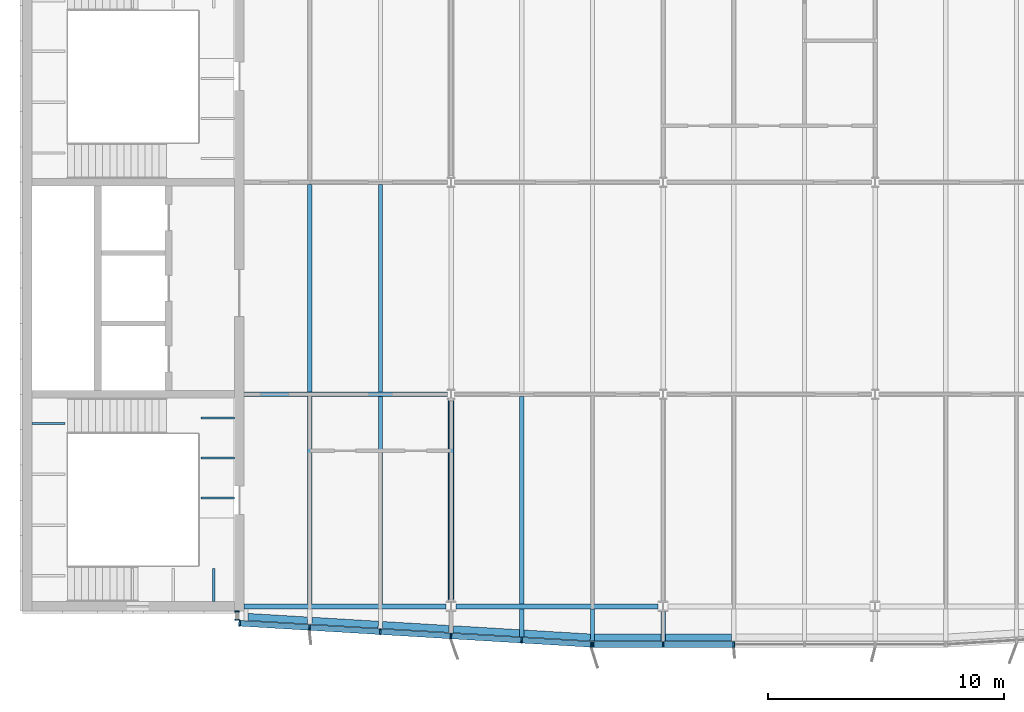
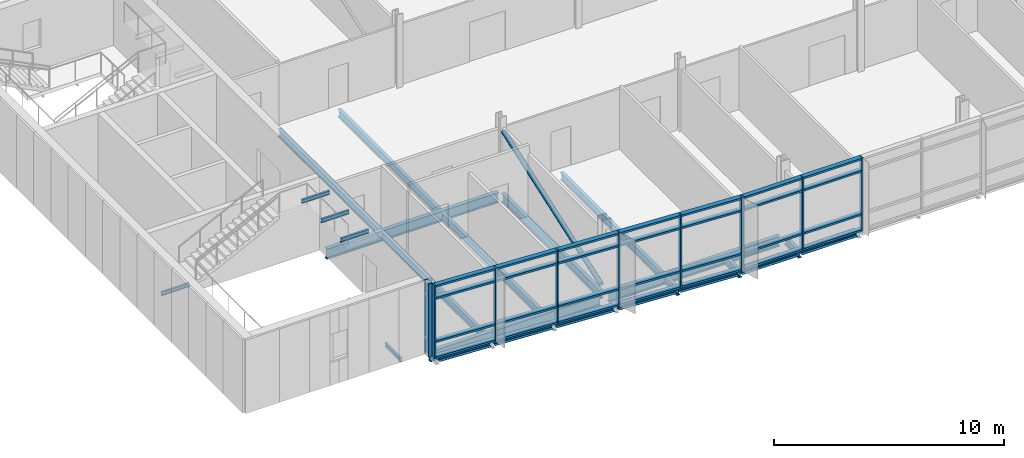
# One storey, part 2 of 21: 40 members, 24 beams, 3 elements without a shape of their own.
"""IFC4 building model written with IfcOpenShell, lengths in metres."""

from ifc_helpers import new_model, si_unit, direction, frame, origin, origin_2d, place, context, subcontext, project, spatial, rectangle, hollow_circle, i_section, extrude, material, material_profile, profile_set, type_object, element, aggregate, save


model = new_model("IFC4")

# Units and contexts
model_context = context("Model", 3, precision=1e-05, world=origin(), true_north=direction((0.0, 1.0)))
body_context = subcontext(model_context, "Body", "Model", "MODEL_VIEW")
ifc_project = project(units=[si_unit("LENGTHUNIT", "METRE"), si_unit("AREAUNIT", "SQUARE_METRE"), si_unit("VOLUMEUNIT", "CUBIC_METRE"), si_unit("PLANEANGLEUNIT", "RADIAN"), si_unit("MASSUNIT", "GRAM", prefix="KILO")], contexts=[model_context])

# Site, building, storey
site_placement = place(None, origin())
site = spatial("IfcSite", under=ifc_project, at=site_placement, CompositionType="ELEMENT")
building_placement = place(site_placement, origin())
building = spatial("IfcBuilding", under=site, at=building_placement, Name="Azimuth Sports and Learning Centre", CompositionType="ELEMENT")
storey_placement = place(building_placement, frame((0.0, 0.0, 48.0)))
storey = spatial("IfcBuildingStorey", under=building, at=storey_placement, Name="L10", CompositionType="ELEMENT", Elevation=48.0)

# Beams
ifc_material_1 = material(Name="Steel S355", Category="steel")
ifc_material_profile_1 = material_profile(ifc_material_1, i_section(OverallWidth=0.10009765625, OverallDepth=0.199951171875, WebThickness=0.005615234375, FlangeThickness=0.008544921875, FilletRadius=0.011962890625, at=origin_2d()), Name="IPE 200")
ifc_profile_set_1 = profile_set([ifc_material_profile_1], Name="Steel S355")
beam_type_1 = type_object("IfcBeamType", Name="Beam IPE 200", PredefinedType="BEAM", material=ifc_profile_set_1)
for number, where, z_axis, x_axis, name in (
    (1, (61.9267578125, 90.199951171875, -0.300048828125), (0.0, 1.0, 0.0), (-1.0, 0.0, 0.0), "Landing bracket W1 L10 101"),
    (2, (54.199951171875, 97.76123046875, 1.35009765625), (1.0, 0.0, 0.0), (0.0, 1.0, 0.0), "Landing bracket W1 L10 105"),
    (3, (62.800048828125, 94.598388671875, 3.60009765625), (-1.0, 0.0, 0.0), (0.0, -1.0, 0.0), "Landing bracket W1 L10 106"),
    (4, (62.800048828125, 96.294921875, 3.60009765625), (-1.0, 0.0, 0.0), (0.0, -1.0, 0.0), "Landing bracket W1 L10 107"),
    (5, (62.800048828125, 97.99169921875, 3.60009765625), (-1.0, 0.0, 0.0), (0.0, -1.0, 0.0), "Landing bracket W1 L10 108"),
):
    element("IfcBeam", number, at=place(storey_placement, frame(where, z_axis=z_axis, x_axis=x_axis)), inside=storey, type_object=beam_type_1, Name=name, PredefinedType="BEAM", context=body_context, shape_type="SweptSolid", body=[
        extrude(i_section(OverallWidth=0.10009765625, OverallDepth=0.199951171875, WebThickness=0.005615234375, FlangeThickness=0.008544921875, FilletRadius=0.011962890625, at=origin_2d()), origin(), (0.0, 0.0, 1.0), 1.41015625),
    ])
ifc_material_2 = material(Name="Steel S355", Category="steel")
ifc_material_profile_2 = material_profile(ifc_material_2, i_section(OverallWidth=0.18994140625, OverallDepth=0.449951171875, WebThickness=0.009521484375, FlangeThickness=0.0146484375, FilletRadius=0.02099609375, at=origin_2d()), Name="IPE 450")
ifc_profile_set_2 = profile_set([ifc_material_profile_2], Name="Steel S355")
beam_type_2 = type_object("IfcBeamType", Name="Beam IPE 450", PredefinedType="BEAM", material=ifc_profile_set_2)
beam_1_placement = place(storey_placement, frame((72.0, 90.2275390625, -0.35498046875), z_axis=(0.0, 1.0, 0.0), x_axis=(-1.0, 0.0, 0.0)))
element("IfcBeam", 6, at=beam_1_placement, inside=storey, type_object=beam_type_2, Name="Tower tie", PredefinedType="BEAM", context=body_context, shape_type="SweptSolid", body=[
    extrude(i_section(OverallWidth=0.18994140625, OverallDepth=0.449951171875, WebThickness=0.009521484375, FlangeThickness=0.0146484375, FilletRadius=0.02099609375, at=origin_2d()), origin(), (0.0, 0.0, 1.0), 8.556396484375),
])
ifc_material_3 = material(Name="Steel S355", Category="steel")
ifc_material_profile_3 = material_profile(ifc_material_3, i_section(OverallWidth=0.2099609375, OverallDepth=0.550048828125, WebThickness=0.010986328125, FlangeThickness=0.01708984375, FilletRadius=0.02392578125, at=origin_2d()), Name="IPE 550")
ifc_profile_set_3 = profile_set([ifc_material_profile_3], Name="Steel S355")
beam_type_3 = type_object("IfcBeamType", Name="Beam IPE 550", PredefinedType="BEAM", material=ifc_profile_set_3)
beam_2_placement = place(storey_placement, frame((63.199951171875, 90.0, -0.405029296875), z_axis=(1.0, 0.0, 0.0), x_axis=(0.0, 1.0, 0.0)))
element("IfcBeam", 7, at=beam_2_placement, inside=storey, type_object=beam_type_3, Name="Tower girder L10", PredefinedType="BEAM", context=body_context, shape_type="SweptSolid", body=[
    extrude(i_section(OverallWidth=0.2099609375, OverallDepth=0.550048828125, WebThickness=0.010986328125, FlangeThickness=0.01708984375, FilletRadius=0.02392578125, at=origin_2d()), origin(), (0.0, 0.0, 1.0), 8.591064453125),
])
beam_3_placement = place(storey_placement, frame((72.208984375, 90.0, -0.405029296875), z_axis=(1.0, 0.0, 0.0), x_axis=(0.0, 1.0, 0.0)))
element("IfcBeam", 8, at=beam_3_placement, inside=storey, type_object=beam_type_3, Name="Tower girder L10", PredefinedType="BEAM", context=body_context, shape_type="SweptSolid", body=[
    extrude(i_section(OverallWidth=0.2099609375, OverallDepth=0.550048828125, WebThickness=0.010986328125, FlangeThickness=0.01708984375, FilletRadius=0.02392578125, at=origin_2d()), origin(), (0.0, 0.0, 1.0), 8.58203125),
])
beam_4_placement = place(storey_placement, frame((63.199951171875, 99.0, -0.405029296875), z_axis=(1.0, 0.0, 0.0), x_axis=(0.0, 1.0, 0.0)))
element("IfcBeam", 9, at=beam_4_placement, inside=storey, type_object=beam_type_3, Name="Tower girder L10", PredefinedType="BEAM", context=body_context, shape_type="SweptSolid", body=[
    extrude(i_section(OverallWidth=0.2099609375, OverallDepth=0.550048828125, WebThickness=0.010986328125, FlangeThickness=0.01708984375, FilletRadius=0.02392578125, at=origin_2d()), origin(), (0.0, 0.0, 1.0), 8.646484375),
])

# Member
ifc_material_4 = material(Name="Steel S355", Category="steel")
ifc_material_profile_4 = material_profile(ifc_material_4, hollow_circle(Radius=0.122314453125, WallThickness=0.012451171875, at=origin_2d()), Name="CHS 244.5x12.5")
ifc_profile_set_4 = profile_set([ifc_material_profile_4], Name="Steel S355")
member_type_1 = type_object("IfcMemberType", Name="Brace CHS 244.5x12.5", PredefinedType="BRACE", material=ifc_profile_set_4)
member_1_placement = place(storey_placement, frame((72.0, 90.247802734375, 0.16943359375), z_axis=(0.0, 0.94383599609, 0.330414304299), x_axis=(-1.0, 0.0, 0.0)))
element("IfcMember", 10, at=member_1_placement, inside=storey, type_object=member_type_1, Name="Tower brace 9 L10", PredefinedType="BRACE", context=body_context, shape_type="SweptSolid", body=[
    extrude(hollow_circle(Radius=0.122314453125, WallThickness=0.012451171875, at=origin_2d()), origin(), (0.0, 0.0, 1.0), 9.022705078125),
])

# Beams
ifc_material_5 = material(Name="Steel S355", Category="steel")
ifc_material_profile_5 = material_profile(ifc_material_5, i_section(OverallWidth=0.179931640625, OverallDepth=0.39990234375, WebThickness=0.008544921875, FlangeThickness=0.013427734375, FilletRadius=0.02099609375, at=origin_2d()), Name="IPE 400")
ifc_profile_set_5 = profile_set([ifc_material_profile_5], Name="Steel S355")
beam_type_4 = type_object("IfcBeamType", Name="Cantilever stub IPE 400", PredefinedType="JOIST", material=ifc_profile_set_5)
beam_5_placement = place(storey_placement, frame((75.0, 89.89501953125, -0.330078125), z_axis=(0.0, -1.0, 0.0), x_axis=(1.0, 0.0, 0.0)))
element("IfcBeam", 11, at=beam_5_placement, inside=storey, type_object=beam_type_4, Name="Tower cantilever stub", PredefinedType="JOIST", context=body_context, shape_type="SweptSolid", body=[
    extrude(i_section(OverallWidth=0.179931640625, OverallDepth=0.39990234375, WebThickness=0.008544921875, FlangeThickness=0.013427734375, FilletRadius=0.02099609375, at=origin_2d()), origin(), (0.0, 0.0, 1.0), 1.195068359375),
])
beam_6_placement = place(storey_placement, frame((78.0, 89.89501953125, -0.330078125), z_axis=(0.0, -1.0, 0.0), x_axis=(1.0, 0.0, 0.0)))
element("IfcBeam", 12, at=beam_6_placement, inside=storey, type_object=beam_type_4, Name="Tower cantilever stub", PredefinedType="JOIST", context=body_context, shape_type="SweptSolid", body=[
    extrude(i_section(OverallWidth=0.179931640625, OverallDepth=0.39990234375, WebThickness=0.008544921875, FlangeThickness=0.013427734375, FilletRadius=0.02099609375, at=origin_2d()), origin(), (0.0, 0.0, 1.0), 1.375),
])
beam_7_placement = place(storey_placement, frame((81.0, 89.7724609375, -0.330078125), z_axis=(0.0, -1.0, 0.0), x_axis=(1.0, 0.0, 0.0)))
element("IfcBeam", 13, at=beam_7_placement, inside=storey, type_object=beam_type_4, Name="Tower cantilever stub", PredefinedType="JOIST", context=body_context, shape_type="SweptSolid", body=[
    extrude(i_section(OverallWidth=0.179931640625, OverallDepth=0.39990234375, WebThickness=0.008544921875, FlangeThickness=0.013427734375, FilletRadius=0.02099609375, at=origin_2d()), origin(), (0.0, 0.0, 1.0), 1.25244140625),
])
ifc_material_6 = material(Name="Steel S355", Category="steel")
ifc_material_profile_6 = material_profile(ifc_material_6, i_section(OverallWidth=0.300048828125, OverallDepth=0.2900390625, WebThickness=0.008544921875, FlangeThickness=0.013916015625, FilletRadius=0.027099609375, at=origin_2d()), Name="HEA 300")
ifc_profile_set_6 = profile_set([ifc_material_profile_6], Name="Steel S355")
beam_type_5 = type_object("IfcBeamType", Name="Edge beam HEA 300", PredefinedType="SPANDREL", material=ifc_profile_set_6)
beam_8_placement = place(storey_placement, frame((63.3798828125, 89.547119140625, -0.27490234375), z_axis=(0.998209334468, -0.059817427068, 0.0), x_axis=(0.059817427068, 0.998209334468, 0.0)))
element("IfcBeam", 14, at=beam_8_placement, inside=storey, type_object=beam_type_5, Name="Tower edge beam", PredefinedType="SPANDREL", context=body_context, shape_type="SweptSolid", body=[
    extrude(i_section(OverallWidth=0.300048828125, OverallDepth=0.2900390625, WebThickness=0.008544921875, FlangeThickness=0.013916015625, FilletRadius=0.027099609375, at=origin_2d()), origin(), (0.0, 0.0, 1.0), 2.53466796875),
])
for number, where, z_axis, x_axis, name in (
    (15, (66.090087890625, 89.384521484375, -0.27490234375), (0.998204845466, -0.059892290728, 0.0), (0.059892290728, 0.998204845466, 0.0), "Tower edge beam"),
    (16, (69.090087890625, 89.20458984375, -0.27490234375), (0.998204845466, -0.059892290728, 0.0), (0.059892290728, 0.998204845466, 0.0), "Tower edge beam"),
    (17, (72.090087890625, 89.024658203125, -0.27490234375), (0.998204845466, -0.059892290728, 0.0), (0.059892290728, 0.998204845466, 0.0), "Tower edge beam"),
    (18, (75.090087890625, 88.844482421875, -0.27490234375), (0.998204845466, -0.059892290728, 0.0), (0.059892290728, 0.998204845466, 0.0), "Tower edge beam"),
):
    element("IfcBeam", number, at=place(storey_placement, frame(where, z_axis=z_axis, x_axis=x_axis)), inside=storey, type_object=beam_type_5, Name=name, PredefinedType="SPANDREL", context=body_context, shape_type="SweptSolid", body=[
        extrude(i_section(OverallWidth=0.300048828125, OverallDepth=0.2900390625, WebThickness=0.008544921875, FlangeThickness=0.013916015625, FilletRadius=0.027099609375, at=origin_2d()), origin(), (0.0, 0.0, 1.0), 2.824951171875),
    ])
for number, where, z_axis, x_axis, name in (
    (19, (78.090087890625, 88.669921875, -0.27490234375), (1.0, 0.0, 0.0), (0.0, 1.0, 0.0), "Tower edge beam"),
    (20, (81.090087890625, 88.669921875, -0.27490234375), (1.0, 0.0, 0.0), (0.0, 1.0, 0.0), "Tower edge beam"),
):
    element("IfcBeam", number, at=place(storey_placement, frame(where, z_axis=z_axis, x_axis=x_axis)), inside=storey, type_object=beam_type_5, Name=name, PredefinedType="SPANDREL", context=body_context, shape_type="SweptSolid", body=[
        extrude(i_section(OverallWidth=0.300048828125, OverallDepth=0.2900390625, WebThickness=0.008544921875, FlangeThickness=0.013916015625, FilletRadius=0.027099609375, at=origin_2d()), origin(), (0.0, 0.0, 1.0), 2.81982421875),
    ])
ifc_material_7 = material(Name="Steel S355", Category="steel")
ifc_material_profile_7 = material_profile(ifc_material_7, i_section(OverallWidth=0.179931640625, OverallDepth=0.39990234375, WebThickness=0.008544921875, FlangeThickness=0.013427734375, FilletRadius=0.02099609375, at=origin_2d()), Name="IPE 400")
ifc_profile_set_7 = profile_set([ifc_material_profile_7], Name="Steel S355")
beam_type_6 = type_object("IfcBeamType", Name="Joist IPE 400", PredefinedType="JOIST", material=ifc_profile_set_7)
for number, where, z_axis, x_axis, name in (
    (21, (66.0, 90.10498046875, -0.330078125), (0.0, 1.0, 0.0), (-1.0, 0.0, 0.0), "Tower joist"),
    (22, (66.0, 99.10498046875, -0.330078125), (0.0, 1.0, 0.0), (-1.0, 0.0, 0.0), "Tower joist"),
    (23, (69.0, 90.10498046875, -0.330078125), (0.0, 1.0, 0.0), (-1.0, 0.0, 0.0), "Tower joist"),
    (24, (69.0, 99.10498046875, -0.330078125), (0.0, 1.0, 0.0), (-1.0, 0.0, 0.0), "Tower joist"),
    (25, (75.0, 90.10498046875, -0.330078125), (0.0, 1.0, 0.0), (-1.0, 0.0, 0.0), "Tower joist"),
):
    element("IfcBeam", number, at=place(storey_placement, frame(where, z_axis=z_axis, x_axis=x_axis)), inside=storey, type_object=beam_type_6, Name=name, PredefinedType="JOIST", context=body_context, shape_type="SweptSolid", body=[
        extrude(i_section(OverallWidth=0.179931640625, OverallDepth=0.39990234375, WebThickness=0.008544921875, FlangeThickness=0.013427734375, FilletRadius=0.02099609375, at=origin_2d()), origin(), (0.0, 0.0, 1.0), 8.7900390625),
    ])

# Curtain wall, members
ifc_material_8 = material(Name="Aluminium and glass", Category="aluminium")
curtain_wall_type_1 = type_object("IfcCurtainWallType", Name="Curtain wall tower return 180", PredefinedType="NOTDEFINED", material=ifc_material_8)
curtain_wall_1_placement = place(storey_placement, origin())
curtain_wall_1 = element("IfcCurtainWall", 26, at=curtain_wall_1_placement, inside=storey, type_object=curtain_wall_type_1, Name="Curtain wall CW10-001", PredefinedType="NOTDEFINED")
ifc_material_9 = material(Name="Aluminium", Category="aluminium")
ifc_material_profile_8 = material_profile(ifc_material_9, rectangle(XDim=0.179931640625, YDim=0.06005859375, at=origin_2d()), Name="Mullion 60x180")
ifc_profile_set_8 = profile_set([ifc_material_profile_8], Name="Aluminium")
member_type_2 = type_object("IfcMemberType", Name="Mullion 60x180", PredefinedType="MULLION", material=ifc_profile_set_8)
member_2_placement = place(storey_placement, frame((62.909912109375, 89.77001953125, 0.0), z_axis=(0.0, 0.0, 1.0), x_axis=(1.0, 0.0, 0.0)))
member_2 = element("IfcMember", 27, at=member_2_placement, type_object=member_type_2, Name="CW10-001 mullion 1", PredefinedType="MULLION", context=body_context, shape_type="SweptSolid", body=[
    extrude(rectangle(XDim=0.179931640625, YDim=0.06005859375, at=origin_2d()), origin(), (0.0, 0.0, 1.0), 3.89990234375),
])
member_3_placement = place(storey_placement, frame((62.909912109375, 89.429931640625, 0.0), z_axis=(0.0, 0.0, 1.0), x_axis=(1.0, 0.0, 0.0)))
member_3 = element("IfcMember", 28, at=member_3_placement, type_object=member_type_2, Name="CW10-001 mullion 2", PredefinedType="MULLION", context=body_context, shape_type="SweptSolid", body=[
    extrude(rectangle(XDim=0.179931640625, YDim=0.06005859375, at=origin_2d()), origin(), (0.0, 0.0, 1.0), 3.89990234375),
])
aggregate(curtain_wall_1, [member_2, member_3])

ifc_material_10 = material(Name="Aluminium and glass", Category="aluminium")
curtain_wall_type_2 = type_object("IfcCurtainWallType", Name="Curtain wall tower south 240", PredefinedType="NOTDEFINED", material=ifc_material_10)
curtain_wall_2_placement = place(storey_placement, origin())
curtain_wall_2 = element("IfcCurtainWall", 29, at=curtain_wall_2_placement, inside=storey, type_object=curtain_wall_type_2, Name="Curtain wall CW10-002", PredefinedType="NOTDEFINED")
ifc_material_11 = material(Name="Aluminium", Category="aluminium")
ifc_material_profile_9 = material_profile(ifc_material_11, rectangle(XDim=0.239990234375, YDim=0.070068359375, at=origin_2d()), Name="Mullion 70x240")
ifc_profile_set_9 = profile_set([ifc_material_profile_9], Name="Aluminium")
member_type_3 = type_object("IfcMemberType", Name="Mullion 70x240", PredefinedType="MULLION", material=ifc_profile_set_9)
member_4_placement = place(storey_placement, frame((63.02783203125, 89.278076171875, 0.0), z_axis=(0.0, 0.0, 1.0), x_axis=(0.059891991812, 0.998204863401, 0.0)))
member_4 = element("IfcMember", 30, at=member_4_placement, type_object=member_type_3, Name="CW10-002 mullion 1", PredefinedType="MULLION", context=body_context, shape_type="SweptSolid", body=[
    extrude(rectangle(XDim=0.239990234375, YDim=0.070068359375, at=origin_2d()), origin(), (0.0, 0.0, 1.0), 3.89990234375),
])
member_5_placement = place(storey_placement, frame((65.992919921875, 89.10009765625, 0.0), z_axis=(0.0, 0.0, 1.0), x_axis=(0.059891991812, 0.998204863401, 0.0)))
member_5 = element("IfcMember", 31, at=member_5_placement, type_object=member_type_3, Name="CW10-002 mullion 2", PredefinedType="MULLION", context=body_context, shape_type="SweptSolid", body=[
    extrude(rectangle(XDim=0.239990234375, YDim=0.070068359375, at=origin_2d()), origin(), (0.0, 0.0, 1.0), 3.89990234375),
])
member_6_placement = place(storey_placement, frame((68.992919921875, 88.920166015625, 0.0), z_axis=(0.0, 0.0, 1.0), x_axis=(0.059891991812, 0.998204863401, 0.0)))
member_6 = element("IfcMember", 32, at=member_6_placement, type_object=member_type_3, Name="CW10-002 mullion 3", PredefinedType="MULLION", context=body_context, shape_type="SweptSolid", body=[
    extrude(rectangle(XDim=0.239990234375, YDim=0.070068359375, at=origin_2d()), origin(), (0.0, 0.0, 1.0), 3.89990234375),
])
member_7_placement = place(storey_placement, frame((71.992919921875, 88.740234375, 0.0), z_axis=(0.0, 0.0, 1.0), x_axis=(0.059891991812, 0.998204863401, 0.0)))
member_7 = element("IfcMember", 33, at=member_7_placement, type_object=member_type_3, Name="CW10-002 mullion 4", PredefinedType="MULLION", context=body_context, shape_type="SweptSolid", body=[
    extrude(rectangle(XDim=0.239990234375, YDim=0.070068359375, at=origin_2d()), origin(), (0.0, 0.0, 1.0), 3.89990234375),
])
member_8_placement = place(storey_placement, frame((74.992919921875, 88.560302734375, 0.0), z_axis=(0.0, 0.0, 1.0), x_axis=(0.059891991812, 0.998204863401, 0.0)))
member_8 = element("IfcMember", 34, at=member_8_placement, type_object=member_type_3, Name="CW10-002 mullion 5", PredefinedType="MULLION", context=body_context, shape_type="SweptSolid", body=[
    extrude(rectangle(XDim=0.239990234375, YDim=0.070068359375, at=origin_2d()), origin(), (0.0, 0.0, 1.0), 3.89990234375),
])
member_9_placement = place(storey_placement, frame((77.957763671875, 88.38232421875, 0.0), z_axis=(0.0, 0.0, 1.0), x_axis=(0.059891991812, 0.998204863401, 0.0)))
member_9 = element("IfcMember", 35, at=member_9_placement, type_object=member_type_3, Name="CW10-002 mullion 6", PredefinedType="MULLION", context=body_context, shape_type="SweptSolid", body=[
    extrude(rectangle(XDim=0.239990234375, YDim=0.070068359375, at=origin_2d()), origin(), (0.0, 0.0, 1.0), 3.89990234375),
])

curtain_wall_3_placement = place(storey_placement, origin())
curtain_wall_3 = element("IfcCurtainWall", 36, at=curtain_wall_3_placement, inside=storey, type_object=curtain_wall_type_2, Name="Curtain wall CW10-003", PredefinedType="NOTDEFINED")
member_10_placement = place(storey_placement, frame((78.02783203125, 88.3798828125, 0.0), z_axis=(0.0, 0.0, 1.0), x_axis=(0.0, 1.0, 0.0)))
member_10 = element("IfcMember", 37, at=member_10_placement, type_object=member_type_3, Name="CW10-003 mullion 1", PredefinedType="MULLION", context=body_context, shape_type="SweptSolid", body=[
    extrude(rectangle(XDim=0.239990234375, YDim=0.070068359375, at=origin_2d()), origin(), (0.0, 0.0, 1.0), 3.89990234375),
])
member_11_placement = place(storey_placement, frame((81.0, 88.3798828125, 0.0), z_axis=(0.0, 0.0, 1.0), x_axis=(0.0, 1.0, 0.0)))
member_11 = element("IfcMember", 38, at=member_11_placement, type_object=member_type_3, Name="CW10-003 mullion 2", PredefinedType="MULLION", context=body_context, shape_type="SweptSolid", body=[
    extrude(rectangle(XDim=0.239990234375, YDim=0.070068359375, at=origin_2d()), origin(), (0.0, 0.0, 1.0), 3.89990234375),
])
member_12_placement = place(storey_placement, frame((84.0, 88.3798828125, 0.0), z_axis=(0.0, 0.0, 1.0), x_axis=(0.0, 1.0, 0.0)))
member_12 = element("IfcMember", 39, at=member_12_placement, type_object=member_type_3, Name="CW10-003 mullion 3", PredefinedType="MULLION", context=body_context, shape_type="SweptSolid", body=[
    extrude(rectangle(XDim=0.239990234375, YDim=0.070068359375, at=origin_2d()), origin(), (0.0, 0.0, 1.0), 3.89990234375),
])

# Member
ifc_material_12 = material(Name="Aluminium", Category="aluminium")
ifc_material_profile_10 = material_profile(ifc_material_12, rectangle(XDim=0.239990234375, YDim=0.10009765625, at=origin_2d()), Name="Transom 100x240")
ifc_profile_set_10 = profile_set([ifc_material_profile_10], Name="Aluminium")
member_type_4 = type_object("IfcMemberType", Name="Transom 100x240", PredefinedType="USERDEFINED", material=ifc_profile_set_10)
member_13_placement = place(storey_placement, frame((63.062744140625, 89.276123046875, 0.050048828125), z_axis=(0.998202227529, -0.059935907067, 0.0), x_axis=(0.059935907067, 0.998202227529, 0.0)))
member_13 = element("IfcMember", 40, at=member_13_placement, type_object=member_type_4, Name="CW10-002 transom 1.1", ObjectType="TRANSOM", PredefinedType="USERDEFINED", context=body_context, shape_type="SweptSolid", body=[
    extrude(rectangle(XDim=0.239990234375, YDim=0.10009765625, at=origin_2d()), origin(), (0.0, 0.0, 1.0), 2.900146484375),
])

member_14_placement = place(storey_placement, frame((63.062744140625, 89.276123046875, 0.89990234375), z_axis=(0.998202227529, -0.059935907067, 0.0), x_axis=(0.059935907067, 0.998202227529, 0.0)))
member_14 = element("IfcMember", 41, at=member_14_placement, type_object=member_type_4, Name="CW10-002 transom 1.2", ObjectType="TRANSOM", PredefinedType="USERDEFINED", context=body_context, shape_type="SweptSolid", body=[
    extrude(rectangle(XDim=0.239990234375, YDim=0.10009765625, at=origin_2d()), origin(), (0.0, 0.0, 1.0), 2.900146484375),
])

member_15_placement = place(storey_placement, frame((63.062744140625, 89.276123046875, 3.199951171875), z_axis=(0.998202227529, -0.059935907067, 0.0), x_axis=(0.059935907067, 0.998202227529, 0.0)))
member_15 = element("IfcMember", 42, at=member_15_placement, type_object=member_type_4, Name="CW10-002 transom 1.3", ObjectType="TRANSOM", PredefinedType="USERDEFINED", context=body_context, shape_type="SweptSolid", body=[
    extrude(rectangle(XDim=0.239990234375, YDim=0.10009765625, at=origin_2d()), origin(), (0.0, 0.0, 1.0), 2.900146484375),
])

member_16_placement = place(storey_placement, frame((63.062744140625, 89.276123046875, 3.85009765625), z_axis=(0.998202227529, -0.059935907067, 0.0), x_axis=(0.059935907067, 0.998202227529, 0.0)))
member_16 = element("IfcMember", 43, at=member_16_placement, type_object=member_type_4, Name="CW10-002 transom 1.4", ObjectType="TRANSOM", PredefinedType="USERDEFINED", context=body_context, shape_type="SweptSolid", body=[
    extrude(rectangle(XDim=0.239990234375, YDim=0.10009765625, at=origin_2d()), origin(), (0.0, 0.0, 1.0), 2.900146484375),
])

member_17_placement = place(storey_placement, frame((66.02783203125, 89.09814453125, 0.050048828125), z_axis=(0.998205143816, -0.059887318019, 0.0), x_axis=(0.059887318019, 0.998205143816, 0.0)))
member_17 = element("IfcMember", 44, at=member_17_placement, type_object=member_type_4, Name="CW10-002 transom 2.1", ObjectType="TRANSOM", PredefinedType="USERDEFINED", context=body_context, shape_type="SweptSolid", body=[
    extrude(rectangle(XDim=0.239990234375, YDim=0.10009765625, at=origin_2d()), origin(), (0.0, 0.0, 1.0), 2.935302734375),
])

member_18_placement = place(storey_placement, frame((66.02783203125, 89.09814453125, 0.89990234375), z_axis=(0.998205143816, -0.059887318019, 0.0), x_axis=(0.059887318019, 0.998205143816, 0.0)))
member_18 = element("IfcMember", 45, at=member_18_placement, type_object=member_type_4, Name="CW10-002 transom 2.2", ObjectType="TRANSOM", PredefinedType="USERDEFINED", context=body_context, shape_type="SweptSolid", body=[
    extrude(rectangle(XDim=0.239990234375, YDim=0.10009765625, at=origin_2d()), origin(), (0.0, 0.0, 1.0), 2.935302734375),
])

member_19_placement = place(storey_placement, frame((66.02783203125, 89.09814453125, 3.199951171875), z_axis=(0.998205143816, -0.059887318019, 0.0), x_axis=(0.059887318019, 0.998205143816, 0.0)))
member_19 = element("IfcMember", 46, at=member_19_placement, type_object=member_type_4, Name="CW10-002 transom 2.3", ObjectType="TRANSOM", PredefinedType="USERDEFINED", context=body_context, shape_type="SweptSolid", body=[
    extrude(rectangle(XDim=0.239990234375, YDim=0.10009765625, at=origin_2d()), origin(), (0.0, 0.0, 1.0), 2.935302734375),
])

member_20_placement = place(storey_placement, frame((66.02783203125, 89.09814453125, 3.85009765625), z_axis=(0.998205143816, -0.059887318019, 0.0), x_axis=(0.059887318019, 0.998205143816, 0.0)))
member_20 = element("IfcMember", 47, at=member_20_placement, type_object=member_type_4, Name="CW10-002 transom 2.4", ObjectType="TRANSOM", PredefinedType="USERDEFINED", context=body_context, shape_type="SweptSolid", body=[
    extrude(rectangle(XDim=0.239990234375, YDim=0.10009765625, at=origin_2d()), origin(), (0.0, 0.0, 1.0), 2.935302734375),
])

member_21_placement = place(storey_placement, frame((69.02783203125, 88.918212890625, 0.050048828125), z_axis=(0.998205143816, -0.059887318019, 0.0), x_axis=(0.059887318019, 0.998205143816, 0.0)))
member_21 = element("IfcMember", 48, at=member_21_placement, type_object=member_type_4, Name="CW10-002 transom 3.1", ObjectType="TRANSOM", PredefinedType="USERDEFINED", context=body_context, shape_type="SweptSolid", body=[
    extrude(rectangle(XDim=0.239990234375, YDim=0.10009765625, at=origin_2d()), origin(), (0.0, 0.0, 1.0), 2.935302734375),
])

member_22_placement = place(storey_placement, frame((69.02783203125, 88.918212890625, 0.89990234375), z_axis=(0.998205143816, -0.059887318019, 0.0), x_axis=(0.059887318019, 0.998205143816, 0.0)))
member_22 = element("IfcMember", 49, at=member_22_placement, type_object=member_type_4, Name="CW10-002 transom 3.2", ObjectType="TRANSOM", PredefinedType="USERDEFINED", context=body_context, shape_type="SweptSolid", body=[
    extrude(rectangle(XDim=0.239990234375, YDim=0.10009765625, at=origin_2d()), origin(), (0.0, 0.0, 1.0), 2.935302734375),
])

member_23_placement = place(storey_placement, frame((69.02783203125, 88.918212890625, 3.199951171875), z_axis=(0.998205143816, -0.059887318019, 0.0), x_axis=(0.059887318019, 0.998205143816, 0.0)))
member_23 = element("IfcMember", 50, at=member_23_placement, type_object=member_type_4, Name="CW10-002 transom 3.3", ObjectType="TRANSOM", PredefinedType="USERDEFINED", context=body_context, shape_type="SweptSolid", body=[
    extrude(rectangle(XDim=0.239990234375, YDim=0.10009765625, at=origin_2d()), origin(), (0.0, 0.0, 1.0), 2.935302734375),
])

member_24_placement = place(storey_placement, frame((69.02783203125, 88.918212890625, 3.85009765625), z_axis=(0.998205143816, -0.059887318019, 0.0), x_axis=(0.059887318019, 0.998205143816, 0.0)))
member_24 = element("IfcMember", 51, at=member_24_placement, type_object=member_type_4, Name="CW10-002 transom 3.4", ObjectType="TRANSOM", PredefinedType="USERDEFINED", context=body_context, shape_type="SweptSolid", body=[
    extrude(rectangle(XDim=0.239990234375, YDim=0.10009765625, at=origin_2d()), origin(), (0.0, 0.0, 1.0), 2.935302734375),
])

member_25_placement = place(storey_placement, frame((72.02783203125, 88.738037109375, 0.050048828125), z_axis=(0.998205143816, -0.059887318019, 0.0), x_axis=(0.059887318019, 0.998205143816, 0.0)))
member_25 = element("IfcMember", 52, at=member_25_placement, type_object=member_type_4, Name="CW10-002 transom 4.1", ObjectType="TRANSOM", PredefinedType="USERDEFINED", context=body_context, shape_type="SweptSolid", body=[
    extrude(rectangle(XDim=0.239990234375, YDim=0.10009765625, at=origin_2d()), origin(), (0.0, 0.0, 1.0), 2.935302734375),
])

member_26_placement = place(storey_placement, frame((72.02783203125, 88.738037109375, 0.89990234375), z_axis=(0.998205143816, -0.059887318019, 0.0), x_axis=(0.059887318019, 0.998205143816, 0.0)))
member_26 = element("IfcMember", 53, at=member_26_placement, type_object=member_type_4, Name="CW10-002 transom 4.2", ObjectType="TRANSOM", PredefinedType="USERDEFINED", context=body_context, shape_type="SweptSolid", body=[
    extrude(rectangle(XDim=0.239990234375, YDim=0.10009765625, at=origin_2d()), origin(), (0.0, 0.0, 1.0), 2.935302734375),
])

member_27_placement = place(storey_placement, frame((72.02783203125, 88.738037109375, 3.199951171875), z_axis=(0.998205143816, -0.059887318019, 0.0), x_axis=(0.059887318019, 0.998205143816, 0.0)))
member_27 = element("IfcMember", 54, at=member_27_placement, type_object=member_type_4, Name="CW10-002 transom 4.3", ObjectType="TRANSOM", PredefinedType="USERDEFINED", context=body_context, shape_type="SweptSolid", body=[
    extrude(rectangle(XDim=0.239990234375, YDim=0.10009765625, at=origin_2d()), origin(), (0.0, 0.0, 1.0), 2.935302734375),
])

member_28_placement = place(storey_placement, frame((72.02783203125, 88.738037109375, 3.85009765625), z_axis=(0.998205143816, -0.059887318019, 0.0), x_axis=(0.059887318019, 0.998205143816, 0.0)))
member_28 = element("IfcMember", 55, at=member_28_placement, type_object=member_type_4, Name="CW10-002 transom 4.4", ObjectType="TRANSOM", PredefinedType="USERDEFINED", context=body_context, shape_type="SweptSolid", body=[
    extrude(rectangle(XDim=0.239990234375, YDim=0.10009765625, at=origin_2d()), origin(), (0.0, 0.0, 1.0), 2.935302734375),
])

member_29_placement = place(storey_placement, frame((75.02783203125, 88.55810546875, 0.050048828125), z_axis=(0.998207260343, -0.059852029187, 0.0), x_axis=(0.059852029187, 0.998207260343, 0.0)))
member_29 = element("IfcMember", 56, at=member_29_placement, type_object=member_type_4, Name="CW10-002 transom 5.1", ObjectType="TRANSOM", PredefinedType="USERDEFINED", context=body_context, shape_type="SweptSolid", body=[
    extrude(rectangle(XDim=0.239990234375, YDim=0.10009765625, at=origin_2d()), origin(), (0.0, 0.0, 1.0), 2.900146484375),
])

member_30_placement = place(storey_placement, frame((75.02783203125, 88.55810546875, 0.89990234375), z_axis=(0.998207260343, -0.059852029187, 0.0), x_axis=(0.059852029187, 0.998207260343, 0.0)))
member_30 = element("IfcMember", 57, at=member_30_placement, type_object=member_type_4, Name="CW10-002 transom 5.2", ObjectType="TRANSOM", PredefinedType="USERDEFINED", context=body_context, shape_type="SweptSolid", body=[
    extrude(rectangle(XDim=0.239990234375, YDim=0.10009765625, at=origin_2d()), origin(), (0.0, 0.0, 1.0), 2.900146484375),
])

member_31_placement = place(storey_placement, frame((75.02783203125, 88.55810546875, 3.199951171875), z_axis=(0.998207260343, -0.059852029187, 0.0), x_axis=(0.059852029187, 0.998207260343, 0.0)))
member_31 = element("IfcMember", 58, at=member_31_placement, type_object=member_type_4, Name="CW10-002 transom 5.3", ObjectType="TRANSOM", PredefinedType="USERDEFINED", context=body_context, shape_type="SweptSolid", body=[
    extrude(rectangle(XDim=0.239990234375, YDim=0.10009765625, at=origin_2d()), origin(), (0.0, 0.0, 1.0), 2.900146484375),
])

member_32_placement = place(storey_placement, frame((75.02783203125, 88.55810546875, 3.85009765625), z_axis=(0.998207260343, -0.059852029187, 0.0), x_axis=(0.059852029187, 0.998207260343, 0.0)))
member_32 = element("IfcMember", 59, at=member_32_placement, type_object=member_type_4, Name="CW10-002 transom 5.4", ObjectType="TRANSOM", PredefinedType="USERDEFINED", context=body_context, shape_type="SweptSolid", body=[
    extrude(rectangle(XDim=0.239990234375, YDim=0.10009765625, at=origin_2d()), origin(), (0.0, 0.0, 1.0), 2.900146484375),
])

aggregate(curtain_wall_2, [member_4, member_5, member_6, member_7, member_8, member_9, member_13, member_14, member_15, member_16, member_17, member_18, member_19, member_20, member_21, member_22, member_23, member_24, member_25, member_26, member_27, member_28, member_29, member_30, member_31, member_32])

member_33_placement = place(storey_placement, frame((78.062744140625, 88.3798828125, 0.050048828125), z_axis=(1.0, 0.0, 0.0), x_axis=(0.0, 1.0, 0.0)))
member_33 = element("IfcMember", 60, at=member_33_placement, type_object=member_type_4, Name="CW10-003 transom 1.1", ObjectType="TRANSOM", PredefinedType="USERDEFINED", context=body_context, shape_type="SweptSolid", body=[
    extrude(rectangle(XDim=0.239990234375, YDim=0.10009765625, at=origin_2d()), origin(), (0.0, 0.0, 1.0), 2.90234375),
])

member_34_placement = place(storey_placement, frame((78.062744140625, 88.3798828125, 0.89990234375), z_axis=(1.0, 0.0, 0.0), x_axis=(0.0, 1.0, 0.0)))
member_34 = element("IfcMember", 61, at=member_34_placement, type_object=member_type_4, Name="CW10-003 transom 1.2", ObjectType="TRANSOM", PredefinedType="USERDEFINED", context=body_context, shape_type="SweptSolid", body=[
    extrude(rectangle(XDim=0.239990234375, YDim=0.10009765625, at=origin_2d()), origin(), (0.0, 0.0, 1.0), 2.90234375),
])

member_35_placement = place(storey_placement, frame((78.062744140625, 88.3798828125, 3.199951171875), z_axis=(1.0, 0.0, 0.0), x_axis=(0.0, 1.0, 0.0)))
member_35 = element("IfcMember", 62, at=member_35_placement, type_object=member_type_4, Name="CW10-003 transom 1.3", ObjectType="TRANSOM", PredefinedType="USERDEFINED", context=body_context, shape_type="SweptSolid", body=[
    extrude(rectangle(XDim=0.239990234375, YDim=0.10009765625, at=origin_2d()), origin(), (0.0, 0.0, 1.0), 2.90234375),
])

member_36_placement = place(storey_placement, frame((78.062744140625, 88.3798828125, 3.85009765625), z_axis=(1.0, 0.0, 0.0), x_axis=(0.0, 1.0, 0.0)))
member_36 = element("IfcMember", 63, at=member_36_placement, type_object=member_type_4, Name="CW10-003 transom 1.4", ObjectType="TRANSOM", PredefinedType="USERDEFINED", context=body_context, shape_type="SweptSolid", body=[
    extrude(rectangle(XDim=0.239990234375, YDim=0.10009765625, at=origin_2d()), origin(), (0.0, 0.0, 1.0), 2.90234375),
])

member_37_placement = place(storey_placement, frame((81.034912109375, 88.3798828125, 0.050048828125), z_axis=(1.0, 0.0, 0.0), x_axis=(0.0, 1.0, 0.0)))
member_37 = element("IfcMember", 64, at=member_37_placement, type_object=member_type_4, Name="CW10-003 transom 2.1", ObjectType="TRANSOM", PredefinedType="USERDEFINED", context=body_context, shape_type="SweptSolid", body=[
    extrude(rectangle(XDim=0.239990234375, YDim=0.10009765625, at=origin_2d()), origin(), (0.0, 0.0, 1.0), 2.93017578125),
])

member_38_placement = place(storey_placement, frame((81.034912109375, 88.3798828125, 0.89990234375), z_axis=(1.0, 0.0, 0.0), x_axis=(0.0, 1.0, 0.0)))
member_38 = element("IfcMember", 65, at=member_38_placement, type_object=member_type_4, Name="CW10-003 transom 2.2", ObjectType="TRANSOM", PredefinedType="USERDEFINED", context=body_context, shape_type="SweptSolid", body=[
    extrude(rectangle(XDim=0.239990234375, YDim=0.10009765625, at=origin_2d()), origin(), (0.0, 0.0, 1.0), 2.93017578125),
])

member_39_placement = place(storey_placement, frame((81.034912109375, 88.3798828125, 3.199951171875), z_axis=(1.0, 0.0, 0.0), x_axis=(0.0, 1.0, 0.0)))
member_39 = element("IfcMember", 66, at=member_39_placement, type_object=member_type_4, Name="CW10-003 transom 2.3", ObjectType="TRANSOM", PredefinedType="USERDEFINED", context=body_context, shape_type="SweptSolid", body=[
    extrude(rectangle(XDim=0.239990234375, YDim=0.10009765625, at=origin_2d()), origin(), (0.0, 0.0, 1.0), 2.93017578125),
])

member_40_placement = place(storey_placement, frame((81.034912109375, 88.3798828125, 3.85009765625), z_axis=(1.0, 0.0, 0.0), x_axis=(0.0, 1.0, 0.0)))
member_40 = element("IfcMember", 67, at=member_40_placement, type_object=member_type_4, Name="CW10-003 transom 2.4", ObjectType="TRANSOM", PredefinedType="USERDEFINED", context=body_context, shape_type="SweptSolid", body=[
    extrude(rectangle(XDim=0.239990234375, YDim=0.10009765625, at=origin_2d()), origin(), (0.0, 0.0, 1.0), 2.93017578125),
])

aggregate(curtain_wall_3, [member_10, member_11, member_12, member_33, member_34, member_35, member_36, member_37, member_38, member_39, member_40])

save(model, "model.ifc")
